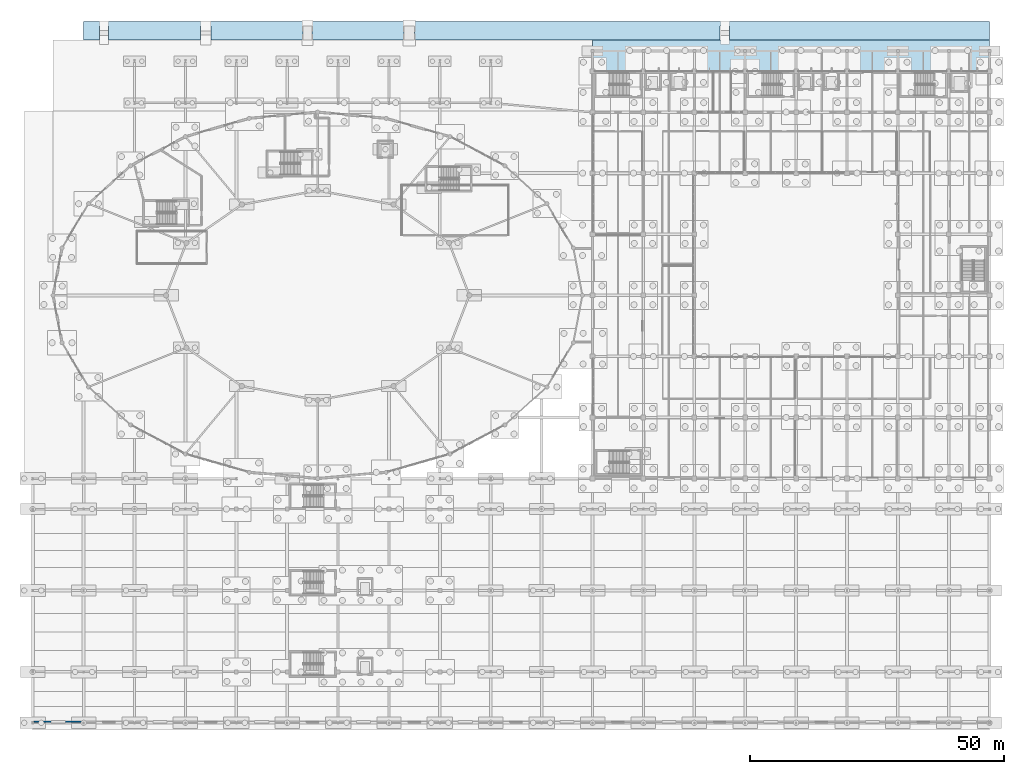
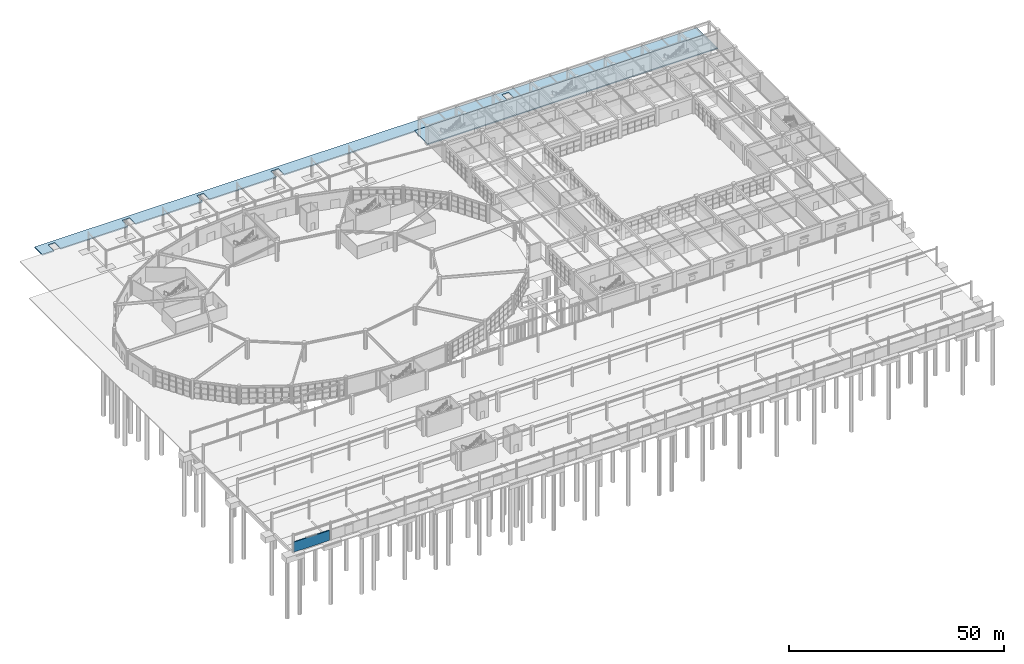
# One storey, part 74 of 99: 2 slabs, 1 wall.
"""IFC4 building model written with IfcOpenShell, lengths in metres."""

import ifcopenshell
import ifcopenshell.guid

model = None  # the IFC model being written
_history = None  # IfcOwnerHistory: only IFC2X3 demands one
_inside = {}  # id of a spatial element -> (the spatial element, [elements in it])
_under = {}  # id of a project, library or spatial element -> (it, [spatial elements below it])
_declared = {}  # id of a project -> (the project, [libraries it declares])
_typed = {}  # id of a type object -> (the type object, [elements of that type])
_made_of = {}  # id of a material, layer set ... -> (it, [elements and type objects made of it])


def new_model(schema):
    """Start an empty IFC model of exactly this schema.

    Asked for "IFC4X3", IfcOpenShell would pick the latest addendum, in which some entities
    have other attributes; the version numbers below select the first issue.
    IFC2X3 requires an IfcOwnerHistory on every rooted entity: one is made here for all.
    """
    global model, _history
    if schema == "IFC4X3":
        model = ifcopenshell.file(schema_version=(4, 3, 0, 0))
    else:
        model = ifcopenshell.file(schema=schema)
    _inside.clear()
    _under.clear()
    _declared.clear()
    _typed.clear()
    _made_of.clear()
    _history = None
    if model.schema == "IFC2X3":
        org = make("IfcOrganization", Name="unknown")
        user = make(
            "IfcPersonAndOrganization",
            ThePerson=make("IfcPerson", FamilyName="unknown"),
            TheOrganization=org,
        )
        app = make(
            "IfcApplication",
            ApplicationDeveloper=org,
            Version="unknown",
            ApplicationFullName="unknown",
            ApplicationIdentifier="unknown",
        )
        _history = make(
            "IfcOwnerHistory",
            OwningUser=user,
            OwningApplication=app,
            ChangeAction="ADDED",
            CreationDate=0,
        )
    return model


def make(cls, **values):
    """One entity of the class cls with the attributes given. An attribute that is None is left unset."""
    return model.create_entity(
        cls, **{name: value for name, value in values.items() if value is not None}
    )


def rooted(cls, **values):
    """An entity with a GlobalId (a new one), such as an element, a storey or a relation."""
    return make(cls, GlobalId=ifcopenshell.guid.new(), OwnerHistory=_history, **values)


def si_unit(unit_type, name, prefix=None):
    """IfcSIUnit, for example si_unit("LENGTHUNIT", "METRE", prefix="MILLI")."""
    return make("IfcSIUnit", UnitType=unit_type, Prefix=prefix, Name=name)


def assignment(units):
    """IfcUnitAssignment: the units of a project."""
    return None if units is None else make("IfcUnitAssignment", Units=units)


def point(xyz):
    """IfcCartesianPoint."""
    return None if xyz is None else make("IfcCartesianPoint", Coordinates=xyz)


def direction(xyz):
    """IfcDirection."""
    return None if xyz is None else make("IfcDirection", DirectionRatios=xyz)


def frame(location, z_axis=None, x_axis=None):
    """IfcAxis2Placement3D, a coordinate frame: its origin and axes. An axis left out is left unset."""
    return make(
        "IfcAxis2Placement3D",
        Location=point(location),
        Axis=direction(z_axis),
        RefDirection=direction(x_axis),
    )


def frame_2d(location, x_axis=None):
    """IfcAxis2Placement2D, a coordinate frame in the plane: its origin and x axis."""
    return make(
        "IfcAxis2Placement2D", Location=point(location), RefDirection=direction(x_axis)
    )


def origin():
    """The frame at (0, 0, 0) with its axes left unset."""
    return frame((0.0, 0.0, 0.0))


def place(relative_to, where):
    """IfcLocalPlacement: puts the frame where relative to a parent placement (None: the world)."""
    return make(
        "IfcLocalPlacement", PlacementRelTo=relative_to, RelativePlacement=where
    )


def context(
    kind, dimensions, precision=None, world=None, true_north=None, identifier=None
):
    """IfcGeometricRepresentationContext, for example the 3D "Model" context."""
    return make(
        "IfcGeometricRepresentationContext",
        ContextIdentifier=identifier,
        ContextType=kind,
        CoordinateSpaceDimension=dimensions,
        Precision=precision,
        WorldCoordinateSystem=world,
        TrueNorth=true_north,
    )


def subcontext(parent, identifier, kind, view, scale=None):
    """IfcGeometricRepresentationSubContext, for example "Body" below "Model"."""
    return make(
        "IfcGeometricRepresentationSubContext",
        ContextIdentifier=identifier,
        ContextType=kind,
        ParentContext=parent,
        TargetScale=scale,
        TargetView=view,
    )


def project(units=None, contexts=None):
    """IfcProject with its units and contexts."""
    return rooted(
        "IfcProject",
        Name="project",
        RepresentationContexts=contexts,
        UnitsInContext=assignment(units),
    )


def spatial(cls, under=None, at=None, **own):
    """A site, building, storey or space (cls), placed at a placement, below another one or the project."""
    s = rooted(cls, ObjectPlacement=at, **own)
    if under is not None:
        _under.setdefault(under.id(), (under, []))[1].append(s)
    return s


def polyline(points):
    """IfcPolyline through the points."""
    return make("IfcPolyline", Points=[point(p) for p in points])


def profile(cls, at=None, kind="AREA", **sizes):
    """A parametric profile (cls). Its sizes go by their IFC names, for example OverallWidth=200.0."""
    return make(cls, ProfileType=kind, Position=at, **sizes)


def rectangle(**sizes):
    """IfcRectangleProfileDef."""
    return profile("IfcRectangleProfileDef", **sizes)


def outline(outer, holes=None, kind="AREA"):
    """IfcArbitraryClosedProfileDef: a profile drawn as a closed curve; with holes, ...WithVoids."""
    if holes is None:
        return make("IfcArbitraryClosedProfileDef", ProfileType=kind, OuterCurve=outer)
    return make(
        "IfcArbitraryProfileDefWithVoids",
        ProfileType=kind,
        OuterCurve=outer,
        InnerCurves=holes,
    )


def extrude(swept, where, along, depth):
    """IfcExtrudedAreaSolid: the profile swept, set in the frame where, extruded along a direction by depth."""
    return make(
        "IfcExtrudedAreaSolid",
        SweptArea=swept,
        Position=where,
        ExtrudedDirection=direction(along),
        Depth=depth,
    )


def shape(context_of_items, identifier, shape_type, items):
    """IfcShapeRepresentation: the items that make up one representation, for example the "Body"."""
    return make(
        "IfcShapeRepresentation",
        ContextOfItems=context_of_items,
        RepresentationIdentifier=identifier,
        RepresentationType=shape_type,
        Items=items,
    )


def material(Name=None, Category=None):
    """IfcMaterial."""
    return make("IfcMaterial", Name=Name, Category=Category)


def layer(
    of_material, thickness, ventilated=None, Name=None, Category=None, Priority=None
):
    """IfcMaterialLayer: one layer of a wall or slab, of a material (None: an air gap)."""
    return make(
        "IfcMaterialLayer",
        Material=of_material,
        LayerThickness=thickness,
        IsVentilated=ventilated,
        Name=Name,
        Category=Category,
        Priority=Priority,
    )


def layer_set(layers, Name=None):
    """IfcMaterialLayerSet."""
    return make("IfcMaterialLayerSet", MaterialLayers=layers, LayerSetName=Name)


def made_of(thing, what):
    """Note that an element or type object is made of a material, layer set ...; save() writes the relation."""
    if what is not None:
        _made_of.setdefault(what.id(), (what, []))[1].append(thing)
    return thing


def type_object(cls, material=None, **own):
    """A type object (cls), such as IfcWallType, which elements share."""
    return made_of(rooted(cls, **own), material)


def element(
    cls,
    number,
    at=None,
    inside=None,
    cuts=None,
    type_object=None,
    material=None,
    context=None,
    identifier="Body",
    shape_type=None,
    held_by="IfcProductDefinitionShape",
    body=None,
    shapes=None,
    **own,
):
    """One element of the class cls, such as IfcWall. Its Tag is "e" and its number.

    at: its placement. inside: the storey or other place that contains it. cuts: it is an
    opening in that element (IfcRelVoidsElement). A single representation is given by context,
    identifier, shape_type and body (its items); several are given by shapes. held_by: the class
    of the entity that holds the representations. save() writes the other relations.
    """
    e = rooted(cls, Tag="e%d" % number, ObjectPlacement=at, **own)
    if body is not None:
        shapes = [shape(context, identifier, shape_type, body)]
    if shapes is not None:
        e.Representation = make(held_by, Representations=shapes)
    if inside is not None:
        _inside.setdefault(inside.id(), (inside, []))[1].append(e)
    if cuts is not None:
        rooted(
            "IfcRelVoidsElement", RelatingBuildingElement=cuts, RelatedOpeningElement=e
        )
    if type_object is not None:
        _typed.setdefault(type_object.id(), (type_object, []))[1].append(e)
    return made_of(e, material)


def aggregate(whole, parts):
    """IfcRelAggregates: a whole, such as a stair, and the parts it consists of."""
    return rooted("IfcRelAggregates", RelatingObject=whole, RelatedObjects=parts)


def save(model, path):
    """Write the relations noted so far, then the file.

    IfcRelAggregates (storeys below a building ...), IfcRelContainedInSpatialStructure (elements
    in a storey), IfcRelDefinesByType, IfcRelAssociatesMaterial and IfcRelDeclares: one each for
    every whole, place, type object, material and project.
    """
    for whole, parts in _under.values():
        aggregate(whole, parts)
    for where, things in _inside.values():
        rooted(
            "IfcRelContainedInSpatialStructure",
            RelatedElements=things,
            RelatingStructure=where,
        )
    for kind, things in _typed.values():
        rooted("IfcRelDefinesByType", RelatedObjects=things, RelatingType=kind)
    for what, things in _made_of.values():
        rooted("IfcRelAssociatesMaterial", RelatedObjects=things, RelatingMaterial=what)
    for by, libraries in _declared.values():
        rooted("IfcRelDeclares", RelatingContext=by, RelatedDefinitions=libraries)
    model.write(path)


model = new_model("IFC4")

# Units and contexts
model_context = context("Model", 3, precision=1e-05, world=origin(), true_north=direction((0.0, 1.0)))
body_context = subcontext(model_context, "Body", "Model", "MODEL_VIEW")
ifc_project = project(units=[si_unit("LENGTHUNIT", "METRE"), si_unit("AREAUNIT", "SQUARE_METRE"), si_unit("VOLUMEUNIT", "CUBIC_METRE"), si_unit("PLANEANGLEUNIT", "RADIAN"), si_unit("MASSUNIT", "GRAM", prefix="KILO")], contexts=[model_context])

# Site, building, storey
site_placement = place(None, origin())
site = spatial("IfcSite", under=ifc_project, at=site_placement, CompositionType="ELEMENT")
building_placement = place(site_placement, origin())
building = spatial("IfcBuilding", under=site, at=building_placement, Name="Kivolera Central Railway Station", CompositionType="ELEMENT")
storey_placement = place(building_placement, origin())
storey = spatial("IfcBuildingStorey", under=building, at=storey_placement, Name="L00", CompositionType="ELEMENT", Elevation=0.0)

# Slabs
ifc_material_1 = material(Name="Concrete C35/45", Category="concrete")
ifc_layer_1 = layer(ifc_material_1, 0.300048828125, Name="Concrete C35/45")
ifc_layer_set_1 = layer_set([ifc_layer_1], Name="Concrete C35/45")
slab_type = type_object("IfcSlabType", Name="SLB-EXT-300", PredefinedType="BASESLAB", material=ifc_layer_set_1)
slab_1_placement = place(storey_placement, frame((0.0, 0.0, -0.300048828125)))
element("IfcSlab", 1, at=slab_1_placement, inside=storey, type_object=slab_type, Name="Northern Street Colonnade External Plinth Slab", PredefinedType="BASESLAB", context=body_context, shape_type="SweptSolid", body=[
    extrude(outline(polyline([(118.0, 134.0), (196.0, 134.0), (196.0, 140.199951171875), (118.0, 140.199951171875), (118.0, 134.0)])), origin(), (0.0, 0.0, 1.0), 0.300048828125),
])
slab_2_placement = place(storey_placement, frame((0.0, 0.0, -0.47998046875)))
element("IfcSlab", 2, at=slab_2_placement, inside=storey, type_object=slab_type, Name="Kivolera North Avenue Lower Footway Slab", PredefinedType="BASESLAB", context=body_context, shape_type="SweptSolid", body=[
    extrude(outline(polyline([(18.0, 140.199951171875), (21.080078125, 140.199951171875), (21.080078125, 142.919921875), (22.919921875, 142.919921875), (22.919921875, 140.199951171875), (40.97998046875, 140.199951171875), (40.97998046875, 142.919921875), (43.02001953125, 142.919921875), (43.02001953125, 140.199951171875), (61.080078125, 140.199951171875), (61.080078125, 142.919921875), (62.919921875, 142.919921875), (62.919921875, 140.199951171875), (80.97998046875, 140.199951171875), (80.97998046875, 142.919921875), (83.02001953125, 142.919921875), (83.02001953125, 140.199951171875), (143.080078125, 140.199951171875), (143.080078125, 142.919921875), (144.919921875, 142.919921875), (144.919921875, 140.199951171875), (196.0, 140.199951171875), (196.0, 143.800048828125), (18.0, 143.800048828125), (18.0, 140.199951171875)])), origin(), (0.0, 0.0, 1.0), 0.300048828125),
])

# Wall
ifc_material_2 = material(Name="Swahili coral limestone", Category="masonry")
ifc_layer_2 = layer(ifc_material_2, 0.27001953125, Name="Swahili coral limestone")
ifc_layer_set_2 = layer_set([ifc_layer_2], Name="Swahili coral limestone")
wall_type = type_object("IfcWallType", Name="WL-EXT-CORAL-270", PredefinedType="SOLIDWALL", material=ifc_layer_set_2)
wall_placement = place(storey_placement, frame((17.780029296875, 6.199951171875, 0.0), z_axis=(0.0, 0.0, 1.0), x_axis=(-1.0, 0.0, 0.0)))
element("IfcWall", 3, at=wall_placement, inside=storey, type_object=wall_type, Name="Southern Trackside Coral-Limestone Screen Wall 01", PredefinedType="SOLIDWALL", context=body_context, shape_type="SweptSolid", body=[
    extrude(rectangle(XDim=9.56005859375, YDim=0.27001953125, at=frame_2d((4.780029296875, 0.0))), origin(), (0.0, 0.0, 1.0), 2.85009765625),
])

save(model, "model.ifc")
